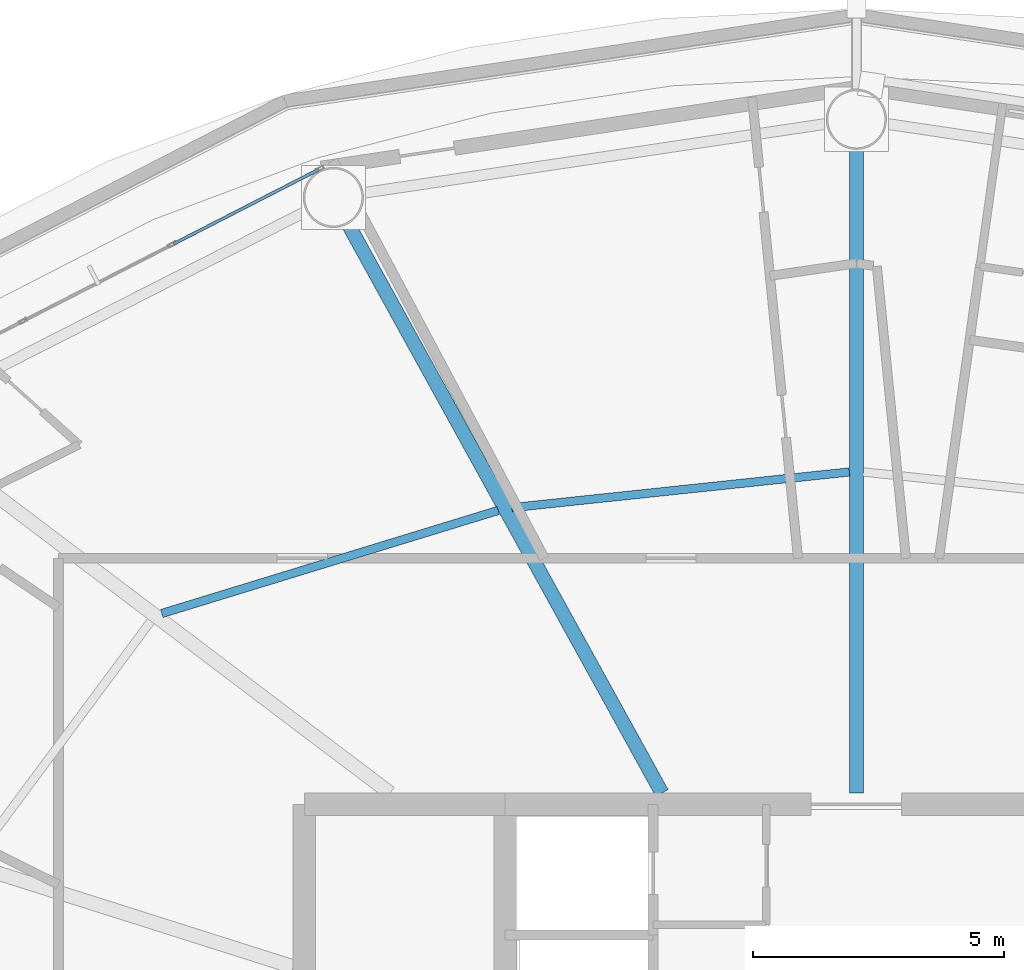
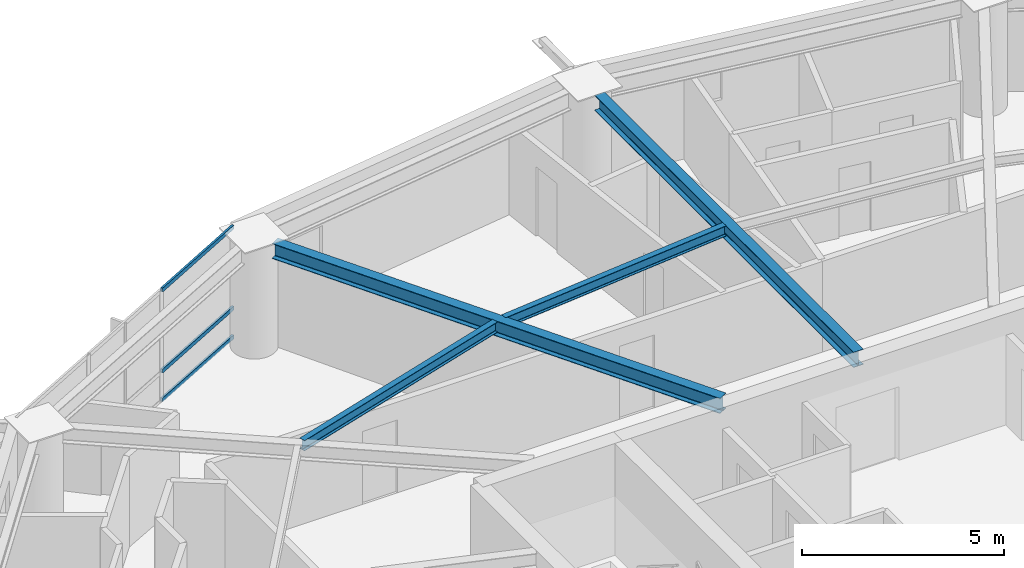
# One storey, part 12 of 27: 4 beams, 3 members, 1 element without a shape of its own.
"""IFC4 building model written with IfcOpenShell, lengths in metres."""

from ifc_helpers import new_model, si_unit, direction, frame, origin, origin_2d, place, context, subcontext, project, spatial, hollow_rectangle, i_section, extrude, material, layer, layer_set, material_profile, profile_set, type_object, element, aggregate, save


model = new_model("IFC4")

# Units and contexts
model_context = context("Model", 3, precision=1e-05, world=origin(), true_north=direction((0.0, 1.0)))
body_context = subcontext(model_context, "Body", "Model", "MODEL_VIEW")
ifc_project = project(units=[si_unit("LENGTHUNIT", "METRE"), si_unit("AREAUNIT", "SQUARE_METRE"), si_unit("VOLUMEUNIT", "CUBIC_METRE"), si_unit("PLANEANGLEUNIT", "RADIAN"), si_unit("MASSUNIT", "GRAM", prefix="KILO")], contexts=[model_context])

# Site, building, storey
site_placement = place(None, origin())
site = spatial("IfcSite", under=ifc_project, at=site_placement, CompositionType="ELEMENT")
building_placement = place(site_placement, origin())
building = spatial("IfcBuilding", under=site, at=building_placement, Name="Sarneth Arch Tower", CompositionType="ELEMENT")
storey_placement = place(building_placement, frame((0.0, 0.0, 150.60009765625)))
storey = spatial("IfcBuildingStorey", under=building, at=storey_placement, Name="L37", CompositionType="ELEMENT", Elevation=150.60009765625)

# Beams
ifc_material_1 = material(Name="Steel S355", Category="steel")
ifc_material_profile_1 = material_profile(ifc_material_1, i_section(OverallWidth=0.1669921875, OverallDepth=0.31689453125, WebThickness=0.007568359375, FlangeThickness=0.01318359375, FilletRadius=0.012939453125, at=origin_2d()), Name="W310x52")
ifc_profile_set_1 = profile_set([ifc_material_profile_1], Name="Steel S355")
beam_type_1 = type_object("IfcBeamType", Name="BM-JOIST-310B", PredefinedType="JOIST", material=ifc_profile_set_1)
beam_1_placement = place(storey_placement, frame((47.86083984375, 55.4228515625, 3.221435546875), z_axis=(-0.994447340543, -0.105235387994, 0.0), x_axis=(0.105235387994, -0.994447340543, 0.0)))
element("IfcBeam", 1, at=beam_1_placement, inside=storey, type_object=beam_type_1, Name="L37 Secondary floor joist 05", PredefinedType="JOIST", context=body_context, shape_type="SweptSolid", body=[
    extrude(i_section(OverallWidth=0.1669921875, OverallDepth=0.31689453125, WebThickness=0.007568359375, FlangeThickness=0.01318359375, FilletRadius=0.012939453125, at=origin_2d()), origin(), (0.0, 0.0, 1.0), 6.7626953125),
])
beam_2_placement = place(storey_placement, frame((40.862548828125, 54.655517578125, 3.221435546875), z_axis=(-0.956178669891, -0.292783796076, 0.0), x_axis=(0.292783796076, -0.956178669891, 0.0)))
element("IfcBeam", 2, at=beam_2_placement, inside=storey, type_object=beam_type_1, Name="L37 Secondary floor joist 06", PredefinedType="JOIST", context=body_context, shape_type="SweptSolid", body=[
    extrude(i_section(OverallWidth=0.1669921875, OverallDepth=0.31689453125, WebThickness=0.007568359375, FlangeThickness=0.01318359375, FilletRadius=0.012939453125, at=origin_2d()), origin(), (0.0, 0.0, 1.0), 7.010986328125),
])
ifc_material_2 = material(Name="Steel S355", Category="steel")
ifc_material_profile_2 = material_profile(ifc_material_2, i_section(OverallWidth=0.280029296875, OverallDepth=0.462890625, WebThickness=0.0107421875, FlangeThickness=0.017333984375, FilletRadius=0.01806640625, at=origin_2d()), Name="W460x113")
ifc_profile_set_2 = profile_set([ifc_material_profile_2], Name="Steel S355")
beam_type_2 = type_object("IfcBeamType", Name="BM-RAD-460A", PredefinedType="BEAM", material=ifc_profile_set_2)
beam_3_placement = place(storey_placement, frame((48.0, 49.02490234375, 3.1484375), z_axis=(0.0, 1.0, 0.0), x_axis=(-1.0, 0.0, 0.0)))
element("IfcBeam", 3, at=beam_3_placement, inside=storey, type_object=beam_type_2, Name="L37 Radial floor girder 05", PredefinedType="BEAM", context=body_context, shape_type="SweptSolid", body=[
    extrude(i_section(OverallWidth=0.280029296875, OverallDepth=0.462890625, WebThickness=0.0107421875, FlangeThickness=0.017333984375, FilletRadius=0.01806640625, at=origin_2d()), origin(), (0.0, 0.0, 1.0), 12.8251953125),
])
beam_4_placement = place(storey_placement, frame((44.125, 49.02490234375, 3.1484375), z_axis=(-0.483010082599, 0.875614789795, 0.0), x_axis=(-0.875614789795, -0.483010082599, 0.0)))
element("IfcBeam", 4, at=beam_4_placement, inside=storey, type_object=beam_type_2, Name="L37 Radial floor girder 06", PredefinedType="BEAM", context=body_context, shape_type="SweptSolid", body=[
    extrude(i_section(OverallWidth=0.280029296875, OverallDepth=0.462890625, WebThickness=0.0107421875, FlangeThickness=0.017333984375, FilletRadius=0.01806640625, at=origin_2d()), origin(), (0.0, 0.0, 1.0), 12.954345703125),
])

# Curtain wall, members
ifc_material_3 = material(Name="Anodised aluminium Type AA25 and solar-control low-e laminated IGU", Category="aluminium")
ifc_layer = layer(ifc_material_3, 0.169921875)
ifc_layer_set = layer_set([ifc_layer], Name="Anodised aluminium Type AA25 and solar-control low-e laminated IGU")
curtain_wall_type = type_object("IfcCurtainWallType", Name="CW-RES-MID", PredefinedType="NOTDEFINED", material=ifc_layer_set)
curtain_wall_placement = place(storey_placement, origin())
curtain_wall = element("IfcCurtainWall", 5, at=curtain_wall_placement, inside=storey, type_object=curtain_wall_type, Name="L37 Unitised curtain wall facet 06", PredefinedType="NOTDEFINED")
ifc_material_4 = material(Name="Anodised Aluminium 6063-T6", Category="aluminium")
ifc_material_profile_3 = material_profile(ifc_material_4, hollow_rectangle(XDim=0.06005859375, YDim=0.1201171875, WallThickness=0.00390625, at=origin_2d()), Name="AL-TRAN-120x60x4")
ifc_profile_set_3 = profile_set([ifc_material_profile_3], Name="Anodised Aluminium 6063-T6")
member_type = type_object("IfcMemberType", Name="CW-TRANSOM", PredefinedType="USERDEFINED", material=ifc_profile_set_3)
member_1_placement = place(storey_placement, frame((37.28369140625, 61.447998046875, 0.02978515625), z_axis=(-0.889857362344, -0.456238835131, 0.0), x_axis=(0.456238835131, -0.889857362344, 0.0)))
member_1 = element("IfcMember", 6, at=member_1_placement, type_object=member_type, Name="CW-SYS-5 transom 1.1", ObjectType="TRANSOM", PredefinedType="USERDEFINED", context=body_context, shape_type="SweptSolid", body=[
    extrude(hollow_rectangle(XDim=0.06005859375, YDim=0.1201171875, WallThickness=0.00390625, at=origin_2d()), origin(), (0.0, 0.0, 1.0), 3.248779296875),
])
member_2_placement = place(storey_placement, frame((37.28369140625, 61.447998046875, 0.89990234375), z_axis=(-0.889857362344, -0.456238835131, 0.0), x_axis=(0.456238835131, -0.889857362344, 0.0)))
member_2 = element("IfcMember", 7, at=member_2_placement, type_object=member_type, Name="CW-SYS-5 transom 1.2", ObjectType="TRANSOM", PredefinedType="USERDEFINED", context=body_context, shape_type="SweptSolid", body=[
    extrude(hollow_rectangle(XDim=0.06005859375, YDim=0.1201171875, WallThickness=0.00390625, at=origin_2d()), origin(), (0.0, 0.0, 1.0), 3.248779296875),
])
member_3_placement = place(storey_placement, frame((37.28369140625, 61.447998046875, 3.349853515625), z_axis=(-0.889857362344, -0.456238835131, 0.0), x_axis=(0.456238835131, -0.889857362344, 0.0)))
member_3 = element("IfcMember", 8, at=member_3_placement, type_object=member_type, Name="CW-SYS-5 transom 1.3", ObjectType="TRANSOM", PredefinedType="USERDEFINED", context=body_context, shape_type="SweptSolid", body=[
    extrude(hollow_rectangle(XDim=0.06005859375, YDim=0.1201171875, WallThickness=0.00390625, at=origin_2d()), origin(), (0.0, 0.0, 1.0), 3.248779296875),
])
aggregate(curtain_wall, [member_1, member_2, member_3])

save(model, "model.ifc")
